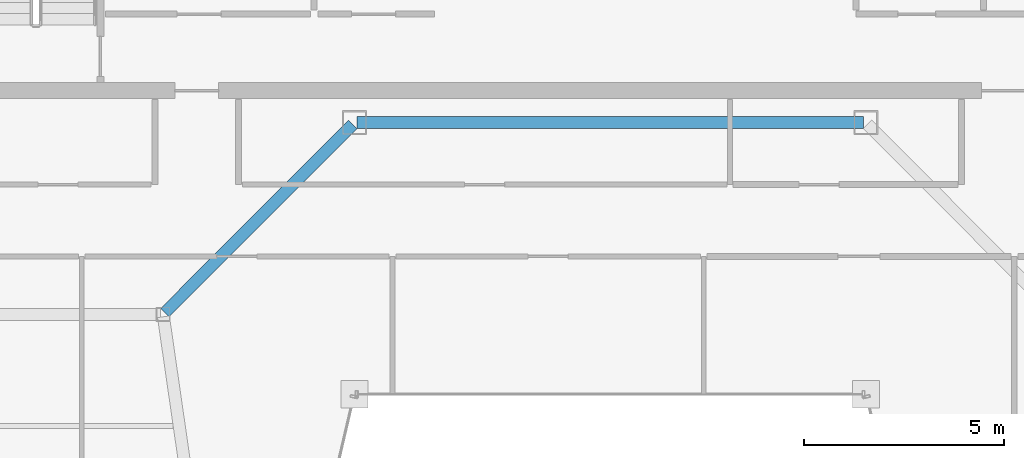
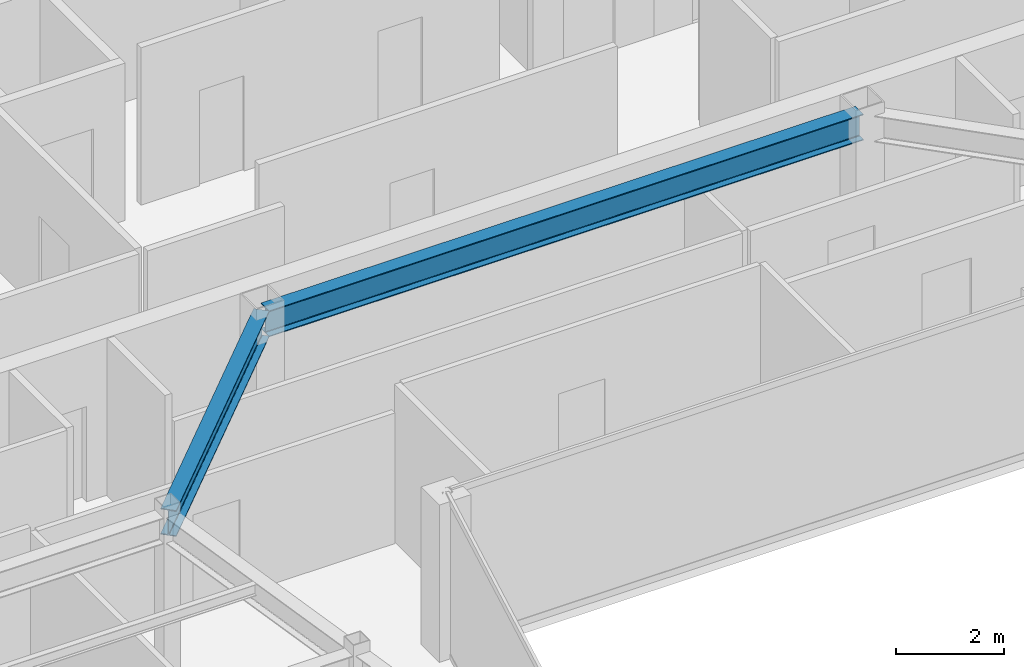
# One storey, part 11 of 32: 2 beams.
"""IFC4 building model written with IfcOpenShell, lengths in metres."""

import ifcopenshell
import ifcopenshell.guid

model = None  # the IFC model being written
_history = None  # IfcOwnerHistory: only IFC2X3 demands one
_inside = {}  # id of a spatial element -> (the spatial element, [elements in it])
_under = {}  # id of a project, library or spatial element -> (it, [spatial elements below it])
_declared = {}  # id of a project -> (the project, [libraries it declares])
_typed = {}  # id of a type object -> (the type object, [elements of that type])
_made_of = {}  # id of a material, layer set ... -> (it, [elements and type objects made of it])


def new_model(schema):
    """Start an empty IFC model of exactly this schema.

    Asked for "IFC4X3", IfcOpenShell would pick the latest addendum, in which some entities
    have other attributes; the version numbers below select the first issue.
    IFC2X3 requires an IfcOwnerHistory on every rooted entity: one is made here for all.
    """
    global model, _history
    if schema == "IFC4X3":
        model = ifcopenshell.file(schema_version=(4, 3, 0, 0))
    else:
        model = ifcopenshell.file(schema=schema)
    _inside.clear()
    _under.clear()
    _declared.clear()
    _typed.clear()
    _made_of.clear()
    _history = None
    if model.schema == "IFC2X3":
        org = make("IfcOrganization", Name="unknown")
        user = make(
            "IfcPersonAndOrganization",
            ThePerson=make("IfcPerson", FamilyName="unknown"),
            TheOrganization=org,
        )
        app = make(
            "IfcApplication",
            ApplicationDeveloper=org,
            Version="unknown",
            ApplicationFullName="unknown",
            ApplicationIdentifier="unknown",
        )
        _history = make(
            "IfcOwnerHistory",
            OwningUser=user,
            OwningApplication=app,
            ChangeAction="ADDED",
            CreationDate=0,
        )
    return model


def make(cls, **values):
    """One entity of the class cls with the attributes given. An attribute that is None is left unset."""
    return model.create_entity(
        cls, **{name: value for name, value in values.items() if value is not None}
    )


def rooted(cls, **values):
    """An entity with a GlobalId (a new one), such as an element, a storey or a relation."""
    return make(cls, GlobalId=ifcopenshell.guid.new(), OwnerHistory=_history, **values)


def si_unit(unit_type, name, prefix=None):
    """IfcSIUnit, for example si_unit("LENGTHUNIT", "METRE", prefix="MILLI")."""
    return make("IfcSIUnit", UnitType=unit_type, Prefix=prefix, Name=name)


def assignment(units):
    """IfcUnitAssignment: the units of a project."""
    return None if units is None else make("IfcUnitAssignment", Units=units)


def point(xyz):
    """IfcCartesianPoint."""
    return None if xyz is None else make("IfcCartesianPoint", Coordinates=xyz)


def direction(xyz):
    """IfcDirection."""
    return None if xyz is None else make("IfcDirection", DirectionRatios=xyz)


def frame(location, z_axis=None, x_axis=None):
    """IfcAxis2Placement3D, a coordinate frame: its origin and axes. An axis left out is left unset."""
    return make(
        "IfcAxis2Placement3D",
        Location=point(location),
        Axis=direction(z_axis),
        RefDirection=direction(x_axis),
    )


def frame_2d(location, x_axis=None):
    """IfcAxis2Placement2D, a coordinate frame in the plane: its origin and x axis."""
    return make(
        "IfcAxis2Placement2D", Location=point(location), RefDirection=direction(x_axis)
    )


def origin():
    """The frame at (0, 0, 0) with its axes left unset."""
    return frame((0.0, 0.0, 0.0))


def origin_2d():
    """The frame at (0, 0) in the plane with its x axis left unset."""
    return frame_2d((0.0, 0.0))


def place(relative_to, where):
    """IfcLocalPlacement: puts the frame where relative to a parent placement (None: the world)."""
    return make(
        "IfcLocalPlacement", PlacementRelTo=relative_to, RelativePlacement=where
    )


def context(
    kind, dimensions, precision=None, world=None, true_north=None, identifier=None
):
    """IfcGeometricRepresentationContext, for example the 3D "Model" context."""
    return make(
        "IfcGeometricRepresentationContext",
        ContextIdentifier=identifier,
        ContextType=kind,
        CoordinateSpaceDimension=dimensions,
        Precision=precision,
        WorldCoordinateSystem=world,
        TrueNorth=true_north,
    )


def subcontext(parent, identifier, kind, view, scale=None):
    """IfcGeometricRepresentationSubContext, for example "Body" below "Model"."""
    return make(
        "IfcGeometricRepresentationSubContext",
        ContextIdentifier=identifier,
        ContextType=kind,
        ParentContext=parent,
        TargetScale=scale,
        TargetView=view,
    )


def project(units=None, contexts=None):
    """IfcProject with its units and contexts."""
    return rooted(
        "IfcProject",
        Name="project",
        RepresentationContexts=contexts,
        UnitsInContext=assignment(units),
    )


def spatial(cls, under=None, at=None, **own):
    """A site, building, storey or space (cls), placed at a placement, below another one or the project."""
    s = rooted(cls, ObjectPlacement=at, **own)
    if under is not None:
        _under.setdefault(under.id(), (under, []))[1].append(s)
    return s


def profile(cls, at=None, kind="AREA", **sizes):
    """A parametric profile (cls). Its sizes go by their IFC names, for example OverallWidth=200.0."""
    return make(cls, ProfileType=kind, Position=at, **sizes)


def i_section(**sizes):
    """IfcIShapeProfileDef."""
    return profile("IfcIShapeProfileDef", **sizes)


def extrude(swept, where, along, depth):
    """IfcExtrudedAreaSolid: the profile swept, set in the frame where, extruded along a direction by depth."""
    return make(
        "IfcExtrudedAreaSolid",
        SweptArea=swept,
        Position=where,
        ExtrudedDirection=direction(along),
        Depth=depth,
    )


def shape(context_of_items, identifier, shape_type, items):
    """IfcShapeRepresentation: the items that make up one representation, for example the "Body"."""
    return make(
        "IfcShapeRepresentation",
        ContextOfItems=context_of_items,
        RepresentationIdentifier=identifier,
        RepresentationType=shape_type,
        Items=items,
    )


def material(Name=None, Category=None):
    """IfcMaterial."""
    return make("IfcMaterial", Name=Name, Category=Category)


def material_profile(
    of_material, cross_section, Name=None, Category=None, Priority=None
):
    """IfcMaterialProfile: a cross section and its material."""
    return make(
        "IfcMaterialProfile",
        Name=Name,
        Material=of_material,
        Profile=cross_section,
        Priority=Priority,
        Category=Category,
    )


def profile_set(profiles, Name=None, composite=None):
    """IfcMaterialProfileSet."""
    return make(
        "IfcMaterialProfileSet",
        Name=Name,
        MaterialProfiles=profiles,
        CompositeProfile=composite,
    )


def made_of(thing, what):
    """Note that an element or type object is made of a material, layer set ...; save() writes the relation."""
    if what is not None:
        _made_of.setdefault(what.id(), (what, []))[1].append(thing)
    return thing


def type_object(cls, material=None, **own):
    """A type object (cls), such as IfcWallType, which elements share."""
    return made_of(rooted(cls, **own), material)


def element(
    cls,
    number,
    at=None,
    inside=None,
    cuts=None,
    type_object=None,
    material=None,
    context=None,
    identifier="Body",
    shape_type=None,
    held_by="IfcProductDefinitionShape",
    body=None,
    shapes=None,
    **own,
):
    """One element of the class cls, such as IfcWall. Its Tag is "e" and its number.

    at: its placement. inside: the storey or other place that contains it. cuts: it is an
    opening in that element (IfcRelVoidsElement). A single representation is given by context,
    identifier, shape_type and body (its items); several are given by shapes. held_by: the class
    of the entity that holds the representations. save() writes the other relations.
    """
    e = rooted(cls, Tag="e%d" % number, ObjectPlacement=at, **own)
    if body is not None:
        shapes = [shape(context, identifier, shape_type, body)]
    if shapes is not None:
        e.Representation = make(held_by, Representations=shapes)
    if inside is not None:
        _inside.setdefault(inside.id(), (inside, []))[1].append(e)
    if cuts is not None:
        rooted(
            "IfcRelVoidsElement", RelatingBuildingElement=cuts, RelatedOpeningElement=e
        )
    if type_object is not None:
        _typed.setdefault(type_object.id(), (type_object, []))[1].append(e)
    return made_of(e, material)


def aggregate(whole, parts):
    """IfcRelAggregates: a whole, such as a stair, and the parts it consists of."""
    return rooted("IfcRelAggregates", RelatingObject=whole, RelatedObjects=parts)


def save(model, path):
    """Write the relations noted so far, then the file.

    IfcRelAggregates (storeys below a building ...), IfcRelContainedInSpatialStructure (elements
    in a storey), IfcRelDefinesByType, IfcRelAssociatesMaterial and IfcRelDeclares: one each for
    every whole, place, type object, material and project.
    """
    for whole, parts in _under.values():
        aggregate(whole, parts)
    for where, things in _inside.values():
        rooted(
            "IfcRelContainedInSpatialStructure",
            RelatedElements=things,
            RelatingStructure=where,
        )
    for kind, things in _typed.values():
        rooted("IfcRelDefinesByType", RelatedObjects=things, RelatingType=kind)
    for what, things in _made_of.values():
        rooted("IfcRelAssociatesMaterial", RelatedObjects=things, RelatingMaterial=what)
    for by, libraries in _declared.values():
        rooted("IfcRelDeclares", RelatingContext=by, RelatedDefinitions=libraries)
    model.write(path)


model = new_model("IFC4")

# Units and contexts
model_context = context("Model", 3, precision=1e-05, world=origin(), true_north=direction((0.0, 1.0)))
body_context = subcontext(model_context, "Body", "Model", "MODEL_VIEW")
ifc_project = project(units=[si_unit("LENGTHUNIT", "METRE"), si_unit("AREAUNIT", "SQUARE_METRE"), si_unit("VOLUMEUNIT", "CUBIC_METRE"), si_unit("PLANEANGLEUNIT", "RADIAN"), si_unit("MASSUNIT", "GRAM", prefix="KILO")], contexts=[model_context])

# Site, building, storey
site_placement = place(None, origin())
site = spatial("IfcSite", under=ifc_project, at=site_placement, CompositionType="ELEMENT")
building_placement = place(site_placement, origin())
building = spatial("IfcBuilding", under=site, at=building_placement, Name="Saevonmaru Cultural Tower", CompositionType="ELEMENT")
storey_placement = place(building_placement, frame((0.0, 0.0, 261.0)))
storey = spatial("IfcBuildingStorey", under=building, at=storey_placement, Name="L61", CompositionType="ELEMENT", Elevation=261.0)

# Beams
ifc_material = material(Name="Steel SM355", Category="steel")
ifc_material_profile = material_profile(ifc_material, i_section(OverallWidth=0.300048828125, OverallDepth=0.587890625, WebThickness=0.011962890625, FlangeThickness=0.02001953125, FilletRadius=0.02392578125, at=origin_2d()), Name="H-588x300x12x20")
ifc_profile_set = profile_set([ifc_material_profile], Name="Steel SM355")
beam_type = type_object("IfcBeamType", Name="BM-G-H588", PredefinedType="BEAM", material=ifc_profile_set)
beam_1_placement = place(storey_placement, frame((23.659912109375, 42.39990234375, 3.256103515625), z_axis=(1.0, 0.0, 0.0), x_axis=(0.0, 1.0, 0.0)))
element("IfcBeam", 1, at=beam_1_placement, inside=storey, type_object=beam_type, Name="L61 Core South Girder 3", PredefinedType="BEAM", context=body_context, shape_type="SweptSolid", body=[
    extrude(i_section(OverallWidth=0.300048828125, OverallDepth=0.587890625, WebThickness=0.011962890625, FlangeThickness=0.02001953125, FilletRadius=0.02392578125, at=origin_2d()), origin(), (0.0, 0.0, 1.0), 12.68017578125),
])
beam_2_placement = place(storey_placement, frame((18.850341796875, 37.642578125, 3.256103515625), z_axis=(0.706538566564, 0.707674539572, 0.0), x_axis=(-0.707674539572, 0.706538566564, 0.0)))
element("IfcBeam", 2, at=beam_2_placement, inside=storey, type_object=beam_type, Name="L61 West Atrium Girder 3", PredefinedType="BEAM", context=body_context, shape_type="SweptSolid", body=[
    extrude(i_section(OverallWidth=0.300048828125, OverallDepth=0.587890625, WebThickness=0.011962890625, FlangeThickness=0.02001953125, FilletRadius=0.02392578125, at=origin_2d()), origin(), (0.0, 0.0, 1.0), 6.662353515625),
])

save(model, "model.ifc")
